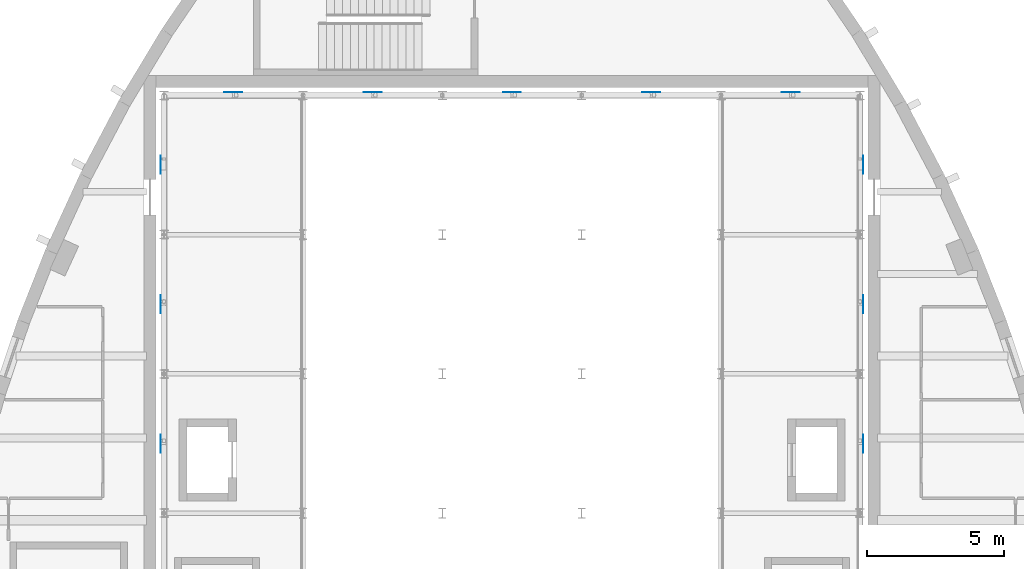
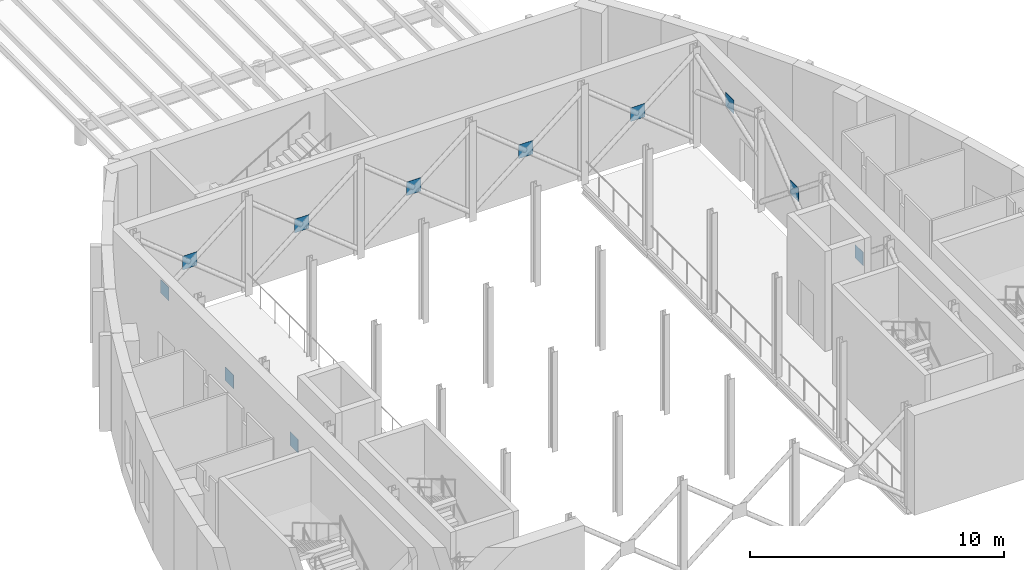
# One storey, part 51 of 93: 11 plates.
"""IFC4 building model written with IfcOpenShell, lengths in metres."""

from ifc_helpers import new_model, si_unit, direction, frame, origin, origin_2d, place, context, subcontext, project, spatial, rectangle, extrude, material, layer, layer_set, type_object, element, save


model = new_model("IFC4")

# Units and contexts
model_context = context("Model", 3, precision=1e-05, world=origin(), true_north=direction((0.0, 1.0)))
body_context = subcontext(model_context, "Body", "Model", "MODEL_VIEW")
ifc_project = project(units=[si_unit("LENGTHUNIT", "METRE"), si_unit("AREAUNIT", "SQUARE_METRE"), si_unit("VOLUMEUNIT", "CUBIC_METRE"), si_unit("PLANEANGLEUNIT", "RADIAN"), si_unit("MASSUNIT", "GRAM", prefix="KILO")], contexts=[model_context])

# Site, building, storey
site_placement = place(None, origin())
site = spatial("IfcSite", under=ifc_project, at=site_placement, CompositionType="ELEMENT")
building_placement = place(site_placement, origin())
building = spatial("IfcBuilding", under=site, at=building_placement, Name="Tide Square Theatres", CompositionType="ELEMENT")
storey_placement = place(building_placement, frame((0.0, 0.0, 5.39990234375)))
storey = spatial("IfcBuildingStorey", under=building, at=storey_placement, Name="L01", CompositionType="ELEMENT", Elevation=5.39990234375)

# Plates
ifc_material = material(Name="Steel ASTM A572 Grade 50", Category="steel")
ifc_layer = layer(ifc_material, 0.010009765625)
ifc_layer_set = layer_set([ifc_layer], Name="Steel ASTM A572 Grade 50")
plate_type = type_object("IfcPlateType", Name="Steel end plate 10 thick", PredefinedType="USERDEFINED", material=ifc_layer_set)
for number, where, z_axis, x_axis, name in (
    (1, (73.82080078125, 81.836669921875, 2.071533203125), (0.0, 0.0, 1.0), (0.0, 1.0, 0.0), "Fly tower brace crossing node plate"),
    (2, (78.910400390625, 81.836669921875, 2.071533203125), (0.0, 0.0, 1.0), (0.0, 1.0, 0.0), "Fly tower brace crossing node plate"),
    (3, (84.0, 81.836669921875, 2.071533203125), (0.0, 0.0, 1.0), (0.0, 1.0, 0.0), "Fly tower brace crossing node plate"),
    (4, (89.089599609375, 81.836669921875, 2.071533203125), (0.0, 0.0, 1.0), (0.0, 1.0, 0.0), "Fly tower brace crossing node plate"),
    (5, (94.17919921875, 81.836669921875, 2.071533203125), (0.0, 0.0, 1.0), (0.0, 1.0, 0.0), "Fly tower brace crossing node plate"),
    (6, (71.163330078125, 69.0, 2.071533203125), (0.0, 0.0, 1.0), (-1.0, 0.0, 0.0), "Fly tower brace crossing node plate"),
    (7, (71.163330078125, 74.089599609375, 2.071533203125), (0.0, 0.0, 1.0), (-1.0, 0.0, 0.0), "Fly tower brace crossing node plate"),
    (8, (71.163330078125, 79.17919921875, 3.196533203125), (0.0, 0.0, 1.0), (-1.0, 0.0, 0.0), "Fly tower brace crossing node plate"),
    (9, (96.83642578125, 69.0, 2.071533203125), (0.0, 0.0, 1.0), (1.0, 0.0, 0.0), "Fly tower brace crossing node plate"),
    (10, (96.83642578125, 74.089599609375, 2.071533203125), (0.0, 0.0, 1.0), (1.0, 0.0, 0.0), "Fly tower brace crossing node plate"),
    (11, (96.83642578125, 79.17919921875, 3.196533203125), (0.0, 0.0, 1.0), (1.0, 0.0, 0.0), "Fly tower brace crossing node plate"),
):
    element("IfcPlate", number, at=place(storey_placement, frame(where, z_axis=z_axis, x_axis=x_axis)), inside=storey, type_object=plate_type, Name=name, ObjectType="END PLATE", PredefinedType="USERDEFINED", context=body_context, shape_type="SweptSolid", body=[
        extrude(rectangle(XDim=0.010009765625, YDim=0.6572265625, at=origin_2d()), origin(), (0.0, 0.0, 1.0), 0.6572265625),
    ])

save(model, "model.ifc")
